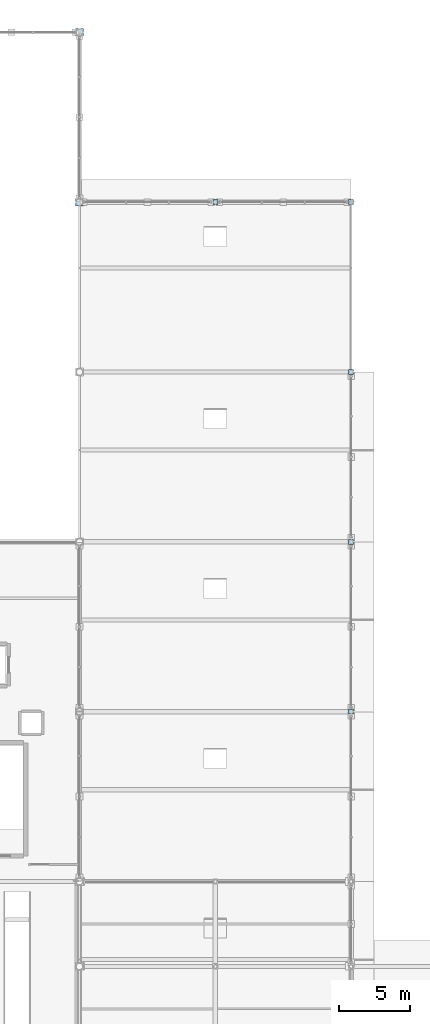
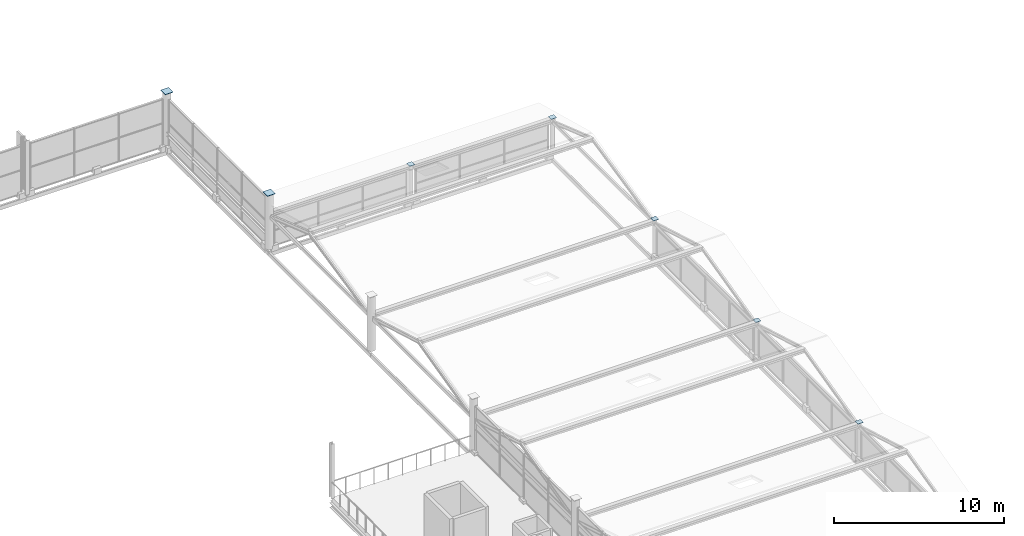
# One storey, part 104 of 117: 7 plates.
"""IFC4 building model written with IfcOpenShell, lengths in metres."""

from ifc_helpers import new_model, si_unit, direction, frame, origin, origin_2d, place, context, subcontext, project, spatial, rectangle, extrude, material, layer, layer_set, type_object, element, save


model = new_model("IFC4")

# Units and contexts
model_context = context("Model", 3, precision=1e-05, world=origin(), true_north=direction((0.0, 1.0)))
body_context = subcontext(model_context, "Body", "Model", "MODEL_VIEW")
ifc_project = project(units=[si_unit("LENGTHUNIT", "METRE"), si_unit("AREAUNIT", "SQUARE_METRE"), si_unit("VOLUMEUNIT", "CUBIC_METRE"), si_unit("PLANEANGLEUNIT", "RADIAN"), si_unit("MASSUNIT", "GRAM", prefix="KILO")], contexts=[model_context])

# Site, building, storey
site_placement = place(None, origin())
site = spatial("IfcSite", under=ifc_project, at=site_placement, CompositionType="ELEMENT")
building_placement = place(site_placement, origin())
building = spatial("IfcBuilding", under=site, at=building_placement, Name="Merenkruunu Market Hall", CompositionType="ELEMENT")
storey_placement = place(building_placement, frame((0.0, 0.0, 10.199951171875)))
storey = spatial("IfcBuildingStorey", under=building, at=storey_placement, Name="L02", CompositionType="ELEMENT", Elevation=10.199951171875)

# Plates
ifc_material = material(Name="Steel S355ML", Category="steel")
ifc_layer_1 = layer(ifc_material, 0.02001953125)
ifc_layer_set_1 = layer_set([ifc_layer_1], Name="Steel S355ML")
plate_type_1 = type_object("IfcPlateType", Name="Truss Gusset Or Cap Plate CP01", PredefinedType="USERDEFINED", material=ifc_layer_set_1)
for number, where, z_axis, x_axis, name in (
    (1, (67.199951171875, 99.60009765625, 2.59814453125), (0.0, 0.0, 1.0), (1.0, 0.0, 0.0), "PLT-CAP-037"),
    (2, (76.800048828125, 63.60009765625, 2.59814453125), (0.0, 0.0, 1.0), (1.0, 0.0, 0.0), "PLT-CAP-044"),
    (3, (76.800048828125, 75.60009765625, 2.59814453125), (0.0, 0.0, 1.0), (1.0, 0.0, 0.0), "PLT-CAP-045"),
    (4, (76.800048828125, 87.60009765625, 2.59814453125), (0.0, 0.0, 1.0), (1.0, 0.0, 0.0), "PLT-CAP-046"),
    (5, (76.800048828125, 99.60009765625, 2.59814453125), (0.0, 0.0, 1.0), (1.0, 0.0, 0.0), "PLT-CAP-047"),
):
    element("IfcPlate", number, at=place(storey_placement, frame(where, z_axis=z_axis, x_axis=x_axis)), inside=storey, type_object=plate_type_1, Name=name, ObjectType="GUSSET_PLATE", PredefinedType="USERDEFINED", context=body_context, shape_type="SweptSolid", body=[
        extrude(rectangle(XDim=0.360107421875, YDim=0.360107421875, at=origin_2d()), origin(), (0.0, 0.0, 1.0), 0.02001953125),
    ])
ifc_layer_2 = layer(ifc_material, 0.02392578125)
ifc_layer_set_2 = layer_set([ifc_layer_2], Name="Steel S355ML")
plate_type_2 = type_object("IfcPlateType", Name="Truss Gusset Or Cap Plate CP03", PredefinedType="USERDEFINED", material=ifc_layer_set_2)
for number, where, z_axis, x_axis, name in (
    (6, (57.60009765625, 99.60009765625, 3.898193359375), (0.0, 0.0, 1.0), (1.0, 0.0, 0.0), "PLT-CAP-026"),
    (7, (57.60009765625, 111.60009765625, 3.898193359375), (0.0, 0.0, 1.0), (1.0, 0.0, 0.0), "PLT-CAP-027"),
):
    element("IfcPlate", number, at=place(storey_placement, frame(where, z_axis=z_axis, x_axis=x_axis)), inside=storey, type_object=plate_type_2, Name=name, ObjectType="GUSSET_PLATE", PredefinedType="USERDEFINED", context=body_context, shape_type="SweptSolid", body=[
        extrude(rectangle(XDim=0.5400390625, YDim=0.5400390625, at=origin_2d()), origin(), (0.0, 0.0, 1.0), 0.02392578125),
    ])

save(model, "model.ifc")
